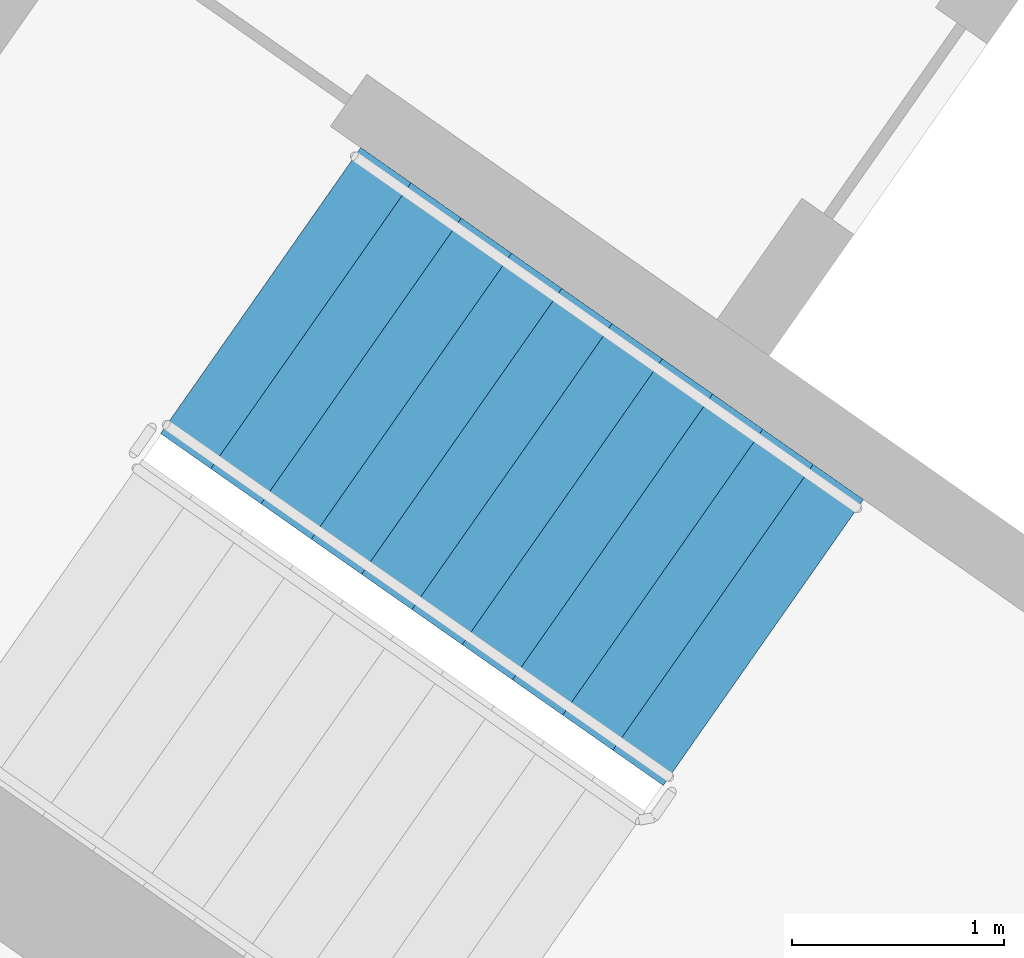
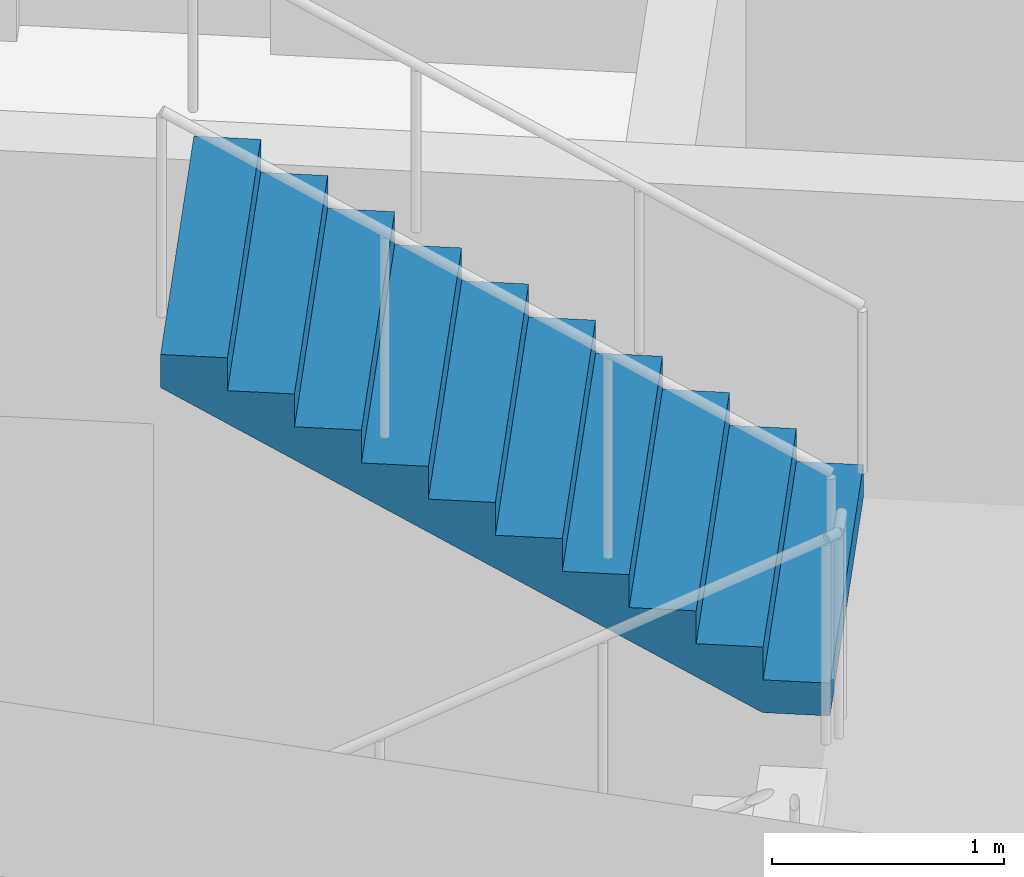
# One storey, part 11 of 28: 1 stair flight, 1 element without a shape of its own.
"""IFC4 building model written with IfcOpenShell, lengths in metres."""

from ifc_helpers import new_model, si_unit, direction, frame, origin, place, context, subcontext, project, spatial, faceted_brep, material, type_object, element, aggregate, save


model = new_model("IFC4")

# Units and contexts
model_context = context("Model", 3, precision=1e-05, world=origin(), true_north=direction((0.0, 1.0)))
body_context = subcontext(model_context, "Body", "Model", "MODEL_VIEW")
ifc_project = project(units=[si_unit("LENGTHUNIT", "METRE"), si_unit("AREAUNIT", "SQUARE_METRE"), si_unit("VOLUMEUNIT", "CUBIC_METRE"), si_unit("PLANEANGLEUNIT", "RADIAN"), si_unit("MASSUNIT", "GRAM", prefix="KILO")], contexts=[model_context])

# Site, building, storey
site_placement = place(None, origin())
site = spatial("IfcSite", under=ifc_project, at=site_placement, CompositionType="ELEMENT")
building_placement = place(site_placement, origin())
building = spatial("IfcBuilding", under=site, at=building_placement, Name="Qamariyya Broadcast Tower", CompositionType="ELEMENT")
storey_placement = place(building_placement, frame((0.0, 0.0, 269.5)))
storey = spatial("IfcBuildingStorey", under=building, at=storey_placement, Name="L65", CompositionType="ELEMENT", Elevation=269.5)

# Stair, stair flight
ifc_material = material(Name="Concrete C50/60", Category="concrete")
stair_type = type_object("IfcStairType", Name="Exit stair 22 risers of 173 mm", PredefinedType="HALF_TURN_STAIR", material=ifc_material)
stair_placement = place(storey_placement, origin())
stair = element("IfcStair", 1, at=stair_placement, inside=storey, type_object=stair_type, Name="L65 Stair W1", PredefinedType="HALF_TURN_STAIR")
stair_flight_type = type_object("IfcStairFlightType", Name="Exit stair flight 11 risers of 173 mm", PredefinedType="STRAIGHT", material=ifc_material)
stair_flight_placement = place(storey_placement, frame((-43.660888671875, -57.17138671875, 1.89990234375), z_axis=(0.0, 0.0, 1.0), x_axis=(-0.819152044289, 0.573576436351, 0.0)))
stair_flight = element("IfcStairFlight", 2, at=stair_flight_placement, type_object=stair_flight_type, Name="ST-W1 flight 2", NumberOfRisers=11, NumberOfTreads=10, PredefinedType="STRAIGHT", RiserHeight=0.172727273, TreadLength=0.29, context=body_context, shape_type="Brep", body=[
    faceted_brep([(0.0, 0.824951171875, 0.0), (0.0, 0.824951171875, 0.172607421875), (0.2900390625, 0.824951171875, 0.172607421875), (0.2900390625, 0.824951171875, 0.345458984375), (0.580078125, 0.824951171875, 0.345458984375), (0.580078125, 0.824951171875, 0.51806640625), (0.8701171875, 0.824951171875, 0.51806640625), (0.8701171875, 0.824951171875, 0.69091796875), (1.159912109375, 0.824951171875, 0.69091796875), (1.159912109375, 0.824951171875, 0.863525390625), (1.449951171875, 0.824951171875, 0.863525390625), (1.449951171875, 0.824951171875, 1.036376953125), (1.739990234375, 0.824951171875, 1.036376953125), (1.739990234375, 0.824951171875, 1.208984375), (2.030029296875, 0.824951171875, 1.208984375), (2.030029296875, 0.824951171875, 1.3818359375), (2.320068359375, 0.824951171875, 1.3818359375), (2.320068359375, 0.824951171875, 1.554443359375), (2.610107421875, 0.824951171875, 1.554443359375), (2.610107421875, 0.824951171875, 1.727294921875), (2.89990234375, 0.824951171875, 1.727294921875), (2.89990234375, 0.824951171875, 1.552734375), (0.29296875, 0.824951171875, 0.0), (0.29296875, -0.824951171875, 0.0), (2.89990234375, -0.824951171875, 1.552734375), (2.89990234375, -0.824951171875, 1.727294921875), (2.610107421875, -0.824951171875, 1.727294921875), (2.610107421875, -0.824951171875, 1.554443359375), (2.320068359375, -0.824951171875, 1.554443359375), (2.320068359375, -0.824951171875, 1.3818359375), (2.030029296875, -0.824951171875, 1.3818359375), (2.030029296875, -0.824951171875, 1.208984375), (1.739990234375, -0.824951171875, 1.208984375), (1.739990234375, -0.824951171875, 1.036376953125), (1.449951171875, -0.824951171875, 1.036376953125), (1.449951171875, -0.824951171875, 0.863525390625), (1.159912109375, -0.824951171875, 0.863525390625), (1.159912109375, -0.824951171875, 0.69091796875), (0.8701171875, -0.824951171875, 0.69091796875), (0.8701171875, -0.824951171875, 0.51806640625), (0.580078125, -0.824951171875, 0.51806640625), (0.580078125, -0.824951171875, 0.345458984375), (0.2900390625, -0.824951171875, 0.345458984375), (0.2900390625, -0.824951171875, 0.172607421875), (0.0, -0.824951171875, 0.172607421875), (0.0, -0.824951171875, 0.0), (0.0, 0.10009765625, 0.0), (0.0, 0.086669921875, 0.0), (0.0, 0.0732421875, 0.0), (0.0, 0.06005859375, 0.0), (0.0, 0.046630859375, 0.0), (0.0, 0.033447265625, 0.0), (0.0, 0.02001953125, 0.0), (0.0, 0.006591796875, 0.0), (0.0, -0.006591796875, 0.0), (0.0, -0.02001953125, 0.0), (0.0, -0.033447265625, 0.0), (0.0, -0.046630859375, 0.0), (0.0, -0.06005859375, 0.0), (0.0, -0.0732421875, 0.0), (0.0, -0.086669921875, 0.0), (0.0, -0.10009765625, 0.0), (0.0, -0.10009765625, 0.172607421875), (0.0, -0.086669921875, 0.172607421875), (0.0, -0.0732421875, 0.172607421875), (0.0, -0.06005859375, 0.172607421875), (0.0, -0.046630859375, 0.172607421875), (0.0, -0.033447265625, 0.172607421875), (0.0, -0.02001953125, 0.172607421875), (0.0, -0.006591796875, 0.172607421875), (0.0, 0.006591796875, 0.172607421875), (0.0, 0.02001953125, 0.172607421875), (0.0, 0.033447265625, 0.172607421875), (0.0, 0.046630859375, 0.172607421875), (0.0, 0.06005859375, 0.172607421875), (0.0, 0.0732421875, 0.172607421875), (0.0, 0.086669921875, 0.172607421875), (0.0, 0.10009765625, 0.172607421875), (0.2900390625, -0.10009765625, 0.172607421875), (0.2900390625, -0.086669921875, 0.172607421875), (0.2900390625, -0.0732421875, 0.172607421875), (0.2900390625, -0.06005859375, 0.172607421875), (0.2900390625, -0.046630859375, 0.172607421875), (0.2900390625, -0.033447265625, 0.172607421875), (0.2900390625, -0.02001953125, 0.172607421875), (0.2900390625, -0.006591796875, 0.172607421875), (0.2900390625, 0.006591796875, 0.172607421875), (0.2900390625, 0.02001953125, 0.172607421875), (0.2900390625, 0.033447265625, 0.172607421875), (0.2900390625, 0.046630859375, 0.172607421875), (0.2900390625, 0.06005859375, 0.172607421875), (0.2900390625, 0.0732421875, 0.172607421875), (0.2900390625, 0.086669921875, 0.172607421875), (0.2900390625, 0.10009765625, 0.172607421875), (0.2900390625, -0.10009765625, 0.345458984375), (0.2900390625, -0.086669921875, 0.345458984375), (0.2900390625, -0.0732421875, 0.345458984375), (0.2900390625, -0.06005859375, 0.345458984375), (0.2900390625, -0.046630859375, 0.345458984375), (0.2900390625, -0.033447265625, 0.345458984375), (0.2900390625, -0.02001953125, 0.345458984375), (0.2900390625, -0.006591796875, 0.345458984375), (0.2900390625, 0.006591796875, 0.345458984375), (0.2900390625, 0.02001953125, 0.345458984375), (0.2900390625, 0.033447265625, 0.345458984375), (0.2900390625, 0.046630859375, 0.345458984375), (0.2900390625, 0.06005859375, 0.345458984375), (0.2900390625, 0.0732421875, 0.345458984375), (0.2900390625, 0.086669921875, 0.345458984375), (0.2900390625, 0.10009765625, 0.345458984375), (0.580078125, -0.10009765625, 0.345458984375), (0.580078125, -0.086669921875, 0.345458984375), (0.580078125, -0.0732421875, 0.345458984375), (0.580078125, -0.06005859375, 0.345458984375), (0.580078125, -0.046630859375, 0.345458984375), (0.580078125, -0.033447265625, 0.345458984375), (0.580078125, -0.02001953125, 0.345458984375), (0.580078125, -0.006591796875, 0.345458984375), (0.580078125, 0.006591796875, 0.345458984375), (0.580078125, 0.02001953125, 0.345458984375), (0.580078125, 0.033447265625, 0.345458984375), (0.580078125, 0.046630859375, 0.345458984375), (0.580078125, 0.06005859375, 0.345458984375), (0.580078125, 0.0732421875, 0.345458984375), (0.580078125, 0.086669921875, 0.345458984375), (0.580078125, 0.10009765625, 0.345458984375), (0.580078125, -0.10009765625, 0.51806640625), (0.580078125, -0.086669921875, 0.51806640625), (0.580078125, -0.0732421875, 0.51806640625), (0.580078125, -0.06005859375, 0.51806640625), (0.580078125, -0.046630859375, 0.51806640625), (0.580078125, -0.033447265625, 0.51806640625), (0.580078125, -0.02001953125, 0.51806640625), (0.580078125, -0.006591796875, 0.51806640625), (0.580078125, 0.006591796875, 0.51806640625), (0.580078125, 0.02001953125, 0.51806640625), (0.580078125, 0.033447265625, 0.51806640625), (0.580078125, 0.046630859375, 0.51806640625), (0.580078125, 0.06005859375, 0.51806640625), (0.580078125, 0.0732421875, 0.51806640625), (0.580078125, 0.086669921875, 0.51806640625), (0.580078125, 0.10009765625, 0.51806640625), (0.8701171875, -0.10009765625, 0.51806640625), (0.8701171875, -0.086669921875, 0.51806640625), (0.8701171875, -0.0732421875, 0.51806640625), (0.8701171875, -0.06005859375, 0.51806640625), (0.8701171875, -0.046630859375, 0.51806640625), (0.8701171875, -0.033447265625, 0.51806640625), (0.8701171875, -0.02001953125, 0.51806640625), (0.8701171875, -0.006591796875, 0.51806640625), (0.8701171875, 0.006591796875, 0.51806640625), (0.8701171875, 0.02001953125, 0.51806640625), (0.8701171875, 0.033447265625, 0.51806640625), (0.8701171875, 0.046630859375, 0.51806640625), (0.8701171875, 0.06005859375, 0.51806640625), (0.8701171875, 0.0732421875, 0.51806640625), (0.8701171875, 0.086669921875, 0.51806640625), (0.8701171875, 0.10009765625, 0.51806640625), (0.8701171875, -0.10009765625, 0.69091796875), (0.8701171875, -0.086669921875, 0.69091796875), (0.8701171875, -0.0732421875, 0.69091796875), (0.8701171875, -0.06005859375, 0.69091796875), (0.8701171875, -0.046630859375, 0.69091796875), (0.8701171875, -0.033447265625, 0.69091796875), (0.8701171875, -0.02001953125, 0.69091796875), (0.8701171875, -0.006591796875, 0.69091796875), (0.8701171875, 0.006591796875, 0.69091796875), (0.8701171875, 0.02001953125, 0.69091796875), (0.8701171875, 0.033447265625, 0.69091796875), (0.8701171875, 0.046630859375, 0.69091796875), (0.8701171875, 0.06005859375, 0.69091796875), (0.8701171875, 0.0732421875, 0.69091796875), (0.8701171875, 0.086669921875, 0.69091796875), (0.8701171875, 0.10009765625, 0.69091796875), (1.159912109375, -0.10009765625, 0.69091796875), (1.159912109375, -0.086669921875, 0.69091796875), (1.159912109375, -0.0732421875, 0.69091796875), (1.159912109375, -0.06005859375, 0.69091796875), (1.159912109375, -0.046630859375, 0.69091796875), (1.159912109375, -0.033447265625, 0.69091796875), (1.159912109375, -0.02001953125, 0.69091796875), (1.159912109375, -0.006591796875, 0.69091796875), (1.159912109375, 0.006591796875, 0.69091796875), (1.159912109375, 0.02001953125, 0.69091796875), (1.159912109375, 0.033447265625, 0.69091796875), (1.159912109375, 0.046630859375, 0.69091796875), (1.159912109375, 0.06005859375, 0.69091796875), (1.159912109375, 0.0732421875, 0.69091796875), (1.159912109375, 0.086669921875, 0.69091796875), (1.159912109375, 0.10009765625, 0.69091796875), (1.159912109375, -0.10009765625, 0.863525390625), (1.159912109375, -0.086669921875, 0.863525390625), (1.159912109375, -0.0732421875, 0.863525390625), (1.159912109375, -0.06005859375, 0.863525390625), (1.159912109375, -0.046630859375, 0.863525390625), (1.159912109375, -0.033447265625, 0.863525390625), (1.159912109375, -0.02001953125, 0.863525390625), (1.159912109375, -0.006591796875, 0.863525390625), (1.159912109375, 0.006591796875, 0.863525390625), (1.159912109375, 0.02001953125, 0.863525390625), (1.159912109375, 0.033447265625, 0.863525390625), (1.159912109375, 0.046630859375, 0.863525390625), (1.159912109375, 0.06005859375, 0.863525390625), (1.159912109375, 0.0732421875, 0.863525390625), (1.159912109375, 0.086669921875, 0.863525390625), (1.159912109375, 0.10009765625, 0.863525390625), (1.449951171875, -0.10009765625, 0.863525390625), (1.449951171875, -0.086669921875, 0.863525390625), (1.449951171875, -0.0732421875, 0.863525390625), (1.449951171875, -0.06005859375, 0.863525390625), (1.449951171875, -0.046630859375, 0.863525390625), (1.449951171875, -0.033447265625, 0.863525390625), (1.449951171875, -0.02001953125, 0.863525390625), (1.449951171875, -0.006591796875, 0.863525390625), (1.449951171875, 0.006591796875, 0.863525390625), (1.449951171875, 0.02001953125, 0.863525390625), (1.449951171875, 0.033447265625, 0.863525390625), (1.449951171875, 0.046630859375, 0.863525390625), (1.449951171875, 0.06005859375, 0.863525390625), (1.449951171875, 0.0732421875, 0.863525390625), (1.449951171875, 0.086669921875, 0.863525390625), (1.449951171875, 0.10009765625, 0.863525390625), (1.449951171875, -0.10009765625, 1.036376953125), (1.449951171875, -0.086669921875, 1.036376953125), (1.449951171875, -0.0732421875, 1.036376953125), (1.449951171875, -0.06005859375, 1.036376953125), (1.449951171875, -0.046630859375, 1.036376953125), (1.449951171875, -0.033447265625, 1.036376953125), (1.449951171875, -0.02001953125, 1.036376953125), (1.449951171875, -0.006591796875, 1.036376953125), (1.449951171875, 0.006591796875, 1.036376953125), (1.449951171875, 0.02001953125, 1.036376953125), (1.449951171875, 0.033447265625, 1.036376953125), (1.449951171875, 0.046630859375, 1.036376953125), (1.449951171875, 0.06005859375, 1.036376953125), (1.449951171875, 0.0732421875, 1.036376953125), (1.449951171875, 0.086669921875, 1.036376953125), (1.449951171875, 0.10009765625, 1.036376953125), (1.739990234375, -0.10009765625, 1.036376953125), (1.739990234375, -0.086669921875, 1.036376953125), (1.739990234375, -0.0732421875, 1.036376953125), (1.739990234375, -0.06005859375, 1.036376953125), (1.739990234375, -0.046630859375, 1.036376953125), (1.739990234375, -0.033447265625, 1.036376953125), (1.739990234375, -0.02001953125, 1.036376953125), (1.739990234375, -0.006591796875, 1.036376953125), (1.739990234375, 0.006591796875, 1.036376953125), (1.739990234375, 0.02001953125, 1.036376953125), (1.739990234375, 0.033447265625, 1.036376953125), (1.739990234375, 0.046630859375, 1.036376953125), (1.739990234375, 0.06005859375, 1.036376953125), (1.739990234375, 0.0732421875, 1.036376953125), (1.739990234375, 0.086669921875, 1.036376953125), (1.739990234375, 0.10009765625, 1.036376953125), (1.739990234375, -0.10009765625, 1.208984375), (1.739990234375, -0.086669921875, 1.208984375), (1.739990234375, -0.0732421875, 1.208984375), (1.739990234375, -0.06005859375, 1.208984375), (1.739990234375, -0.046630859375, 1.208984375), (1.739990234375, -0.033447265625, 1.208984375), (1.739990234375, -0.02001953125, 1.208984375), (1.739990234375, -0.006591796875, 1.208984375), (1.739990234375, 0.006591796875, 1.208984375), (1.739990234375, 0.02001953125, 1.208984375), (1.739990234375, 0.033447265625, 1.208984375), (1.739990234375, 0.046630859375, 1.208984375), (1.739990234375, 0.06005859375, 1.208984375), (1.739990234375, 0.0732421875, 1.208984375), (1.739990234375, 0.086669921875, 1.208984375), (1.739990234375, 0.10009765625, 1.208984375), (2.030029296875, -0.10009765625, 1.208984375), (2.030029296875, -0.086669921875, 1.208984375), (2.030029296875, -0.0732421875, 1.208984375), (2.030029296875, -0.06005859375, 1.208984375), (2.030029296875, -0.046630859375, 1.208984375), (2.030029296875, -0.033447265625, 1.208984375), (2.030029296875, -0.02001953125, 1.208984375), (2.030029296875, -0.006591796875, 1.208984375), (2.030029296875, 0.006591796875, 1.208984375), (2.030029296875, 0.02001953125, 1.208984375), (2.030029296875, 0.033447265625, 1.208984375), (2.030029296875, 0.046630859375, 1.208984375), (2.030029296875, 0.06005859375, 1.208984375), (2.030029296875, 0.0732421875, 1.208984375), (2.030029296875, 0.086669921875, 1.208984375), (2.030029296875, 0.10009765625, 1.208984375), (2.030029296875, -0.10009765625, 1.3818359375), (2.030029296875, -0.086669921875, 1.3818359375), (2.030029296875, -0.0732421875, 1.3818359375), (2.030029296875, -0.06005859375, 1.3818359375), (2.030029296875, -0.046630859375, 1.3818359375), (2.030029296875, -0.033447265625, 1.3818359375), (2.030029296875, -0.02001953125, 1.3818359375), (2.030029296875, -0.006591796875, 1.3818359375), (2.030029296875, 0.006591796875, 1.3818359375), (2.030029296875, 0.02001953125, 1.3818359375), (2.030029296875, 0.033447265625, 1.3818359375), (2.030029296875, 0.046630859375, 1.3818359375), (2.030029296875, 0.06005859375, 1.3818359375), (2.030029296875, 0.0732421875, 1.3818359375), (2.030029296875, 0.086669921875, 1.3818359375), (2.030029296875, 0.10009765625, 1.3818359375), (2.320068359375, -0.10009765625, 1.3818359375), (2.320068359375, -0.086669921875, 1.3818359375), (2.320068359375, -0.0732421875, 1.3818359375), (2.320068359375, -0.06005859375, 1.3818359375), (2.320068359375, -0.046630859375, 1.3818359375), (2.320068359375, -0.033447265625, 1.3818359375), (2.320068359375, -0.02001953125, 1.3818359375), (2.320068359375, -0.006591796875, 1.3818359375), (2.320068359375, 0.006591796875, 1.3818359375), (2.320068359375, 0.02001953125, 1.3818359375), (2.320068359375, 0.033447265625, 1.3818359375), (2.320068359375, 0.046630859375, 1.3818359375), (2.320068359375, 0.06005859375, 1.3818359375), (2.320068359375, 0.0732421875, 1.3818359375), (2.320068359375, 0.086669921875, 1.3818359375), (2.320068359375, 0.10009765625, 1.3818359375), (2.320068359375, -0.10009765625, 1.554443359375), (2.320068359375, -0.086669921875, 1.554443359375), (2.320068359375, -0.0732421875, 1.554443359375), (2.320068359375, -0.06005859375, 1.554443359375), (2.320068359375, -0.046630859375, 1.554443359375), (2.320068359375, -0.033447265625, 1.554443359375), (2.320068359375, -0.02001953125, 1.554443359375), (2.320068359375, -0.006591796875, 1.554443359375), (2.320068359375, 0.006591796875, 1.554443359375), (2.320068359375, 0.02001953125, 1.554443359375), (2.320068359375, 0.033447265625, 1.554443359375), (2.320068359375, 0.046630859375, 1.554443359375), (2.320068359375, 0.06005859375, 1.554443359375), (2.320068359375, 0.0732421875, 1.554443359375), (2.320068359375, 0.086669921875, 1.554443359375), (2.320068359375, 0.10009765625, 1.554443359375), (2.610107421875, -0.10009765625, 1.554443359375), (2.610107421875, -0.086669921875, 1.554443359375), (2.610107421875, -0.0732421875, 1.554443359375), (2.610107421875, -0.06005859375, 1.554443359375), (2.610107421875, -0.046630859375, 1.554443359375), (2.610107421875, -0.033447265625, 1.554443359375), (2.610107421875, -0.02001953125, 1.554443359375), (2.610107421875, -0.006591796875, 1.554443359375), (2.610107421875, 0.006591796875, 1.554443359375), (2.610107421875, 0.02001953125, 1.554443359375), (2.610107421875, 0.033447265625, 1.554443359375), (2.610107421875, 0.046630859375, 1.554443359375), (2.610107421875, 0.06005859375, 1.554443359375), (2.610107421875, 0.0732421875, 1.554443359375), (2.610107421875, 0.086669921875, 1.554443359375), (2.610107421875, 0.10009765625, 1.554443359375), (2.610107421875, -0.10009765625, 1.727294921875), (2.610107421875, -0.086669921875, 1.727294921875), (2.610107421875, -0.0732421875, 1.727294921875), (2.610107421875, -0.06005859375, 1.727294921875), (2.610107421875, -0.046630859375, 1.727294921875), (2.610107421875, -0.033447265625, 1.727294921875), (2.610107421875, -0.02001953125, 1.727294921875), (2.610107421875, -0.006591796875, 1.727294921875), (2.610107421875, 0.006591796875, 1.727294921875), (2.610107421875, 0.02001953125, 1.727294921875), (2.610107421875, 0.033447265625, 1.727294921875), (2.610107421875, 0.046630859375, 1.727294921875), (2.610107421875, 0.06005859375, 1.727294921875), (2.610107421875, 0.0732421875, 1.727294921875), (2.610107421875, 0.086669921875, 1.727294921875), (2.610107421875, 0.10009765625, 1.727294921875), (2.89990234375, -0.10009765625, 1.727294921875), (2.89990234375, -0.086669921875, 1.727294921875), (2.89990234375, -0.0732421875, 1.727294921875), (2.89990234375, -0.06005859375, 1.727294921875), (2.89990234375, -0.046630859375, 1.727294921875), (2.89990234375, -0.033447265625, 1.727294921875), (2.89990234375, -0.02001953125, 1.727294921875), (2.89990234375, -0.006591796875, 1.727294921875), (2.89990234375, 0.006591796875, 1.727294921875), (2.89990234375, 0.02001953125, 1.727294921875), (2.89990234375, 0.033447265625, 1.727294921875), (2.89990234375, 0.046630859375, 1.727294921875), (2.89990234375, 0.06005859375, 1.727294921875), (2.89990234375, 0.0732421875, 1.727294921875), (2.89990234375, 0.086669921875, 1.727294921875), (2.89990234375, 0.10009765625, 1.727294921875), (2.89990234375, -0.10009765625, 1.552734375), (2.89990234375, -0.086669921875, 1.552734375), (2.89990234375, -0.0732421875, 1.552734375), (2.89990234375, -0.06005859375, 1.552734375), (2.89990234375, -0.046630859375, 1.552734375), (2.89990234375, -0.033447265625, 1.552734375), (2.89990234375, -0.02001953125, 1.552734375), (2.89990234375, -0.006591796875, 1.552734375), (2.89990234375, 0.006591796875, 1.552734375), (2.89990234375, 0.02001953125, 1.552734375), (2.89990234375, 0.033447265625, 1.552734375), (2.89990234375, 0.046630859375, 1.552734375), (2.89990234375, 0.06005859375, 1.552734375), (2.89990234375, 0.0732421875, 1.552734375), (2.89990234375, 0.086669921875, 1.552734375), (2.89990234375, 0.10009765625, 1.552734375), (0.29296875, -0.10009765625, 0.0), (0.29296875, -0.086669921875, 0.0), (0.29296875, -0.0732421875, 0.0), (0.29296875, -0.06005859375, 0.0), (0.29296875, -0.046630859375, 0.0), (0.29296875, -0.033447265625, 0.0), (0.29296875, -0.02001953125, 0.0), (0.29296875, -0.006591796875, 0.0), (0.29296875, 0.006591796875, 0.0), (0.29296875, 0.02001953125, 0.0), (0.29296875, 0.033447265625, 0.0), (0.29296875, 0.046630859375, 0.0), (0.29296875, 0.06005859375, 0.0), (0.29296875, 0.0732421875, 0.0), (0.29296875, 0.086669921875, 0.0), (0.29296875, 0.10009765625, 0.0)], [[[0, 1, 2, 3, 4, 5, 6, 7, 8, 9, 10, 11, 12, 13, 14, 15, 16, 17, 18, 19, 20, 21, 22]], [[23, 24, 25, 26, 27, 28, 29, 30, 31, 32, 33, 34, 35, 36, 37, 38, 39, 40, 41, 42, 43, 44, 45]], [[0, 46, 47, 48, 49, 50, 51, 52, 53, 54, 55, 56, 57, 58, 59, 60, 61, 45, 44, 62, 63, 64, 65, 66, 67, 68, 69, 70, 71, 72, 73, 74, 75, 76, 77, 1]], [[1, 77, 76, 75, 74, 73, 72, 71, 70, 69, 68, 67, 66, 65, 64, 63, 62, 44, 43, 78, 79, 80, 81, 82, 83, 84, 85, 86, 87, 88, 89, 90, 91, 92, 93, 2]], [[2, 93, 92, 91, 90, 89, 88, 87, 86, 85, 84, 83, 82, 81, 80, 79, 78, 43, 42, 94, 95, 96, 97, 98, 99, 100, 101, 102, 103, 104, 105, 106, 107, 108, 109, 3]], [[3, 109, 108, 107, 106, 105, 104, 103, 102, 101, 100, 99, 98, 97, 96, 95, 94, 42, 41, 110, 111, 112, 113, 114, 115, 116, 117, 118, 119, 120, 121, 122, 123, 124, 125, 4]], [[4, 125, 124, 123, 122, 121, 120, 119, 118, 117, 116, 115, 114, 113, 112, 111, 110, 41, 40, 126, 127, 128, 129, 130, 131, 132, 133, 134, 135, 136, 137, 138, 139, 140, 141, 5]], [[5, 141, 140, 139, 138, 137, 136, 135, 134, 133, 132, 131, 130, 129, 128, 127, 126, 40, 39, 142, 143, 144, 145, 146, 147, 148, 149, 150, 151, 152, 153, 154, 155, 156, 157, 6]], [[6, 157, 156, 155, 154, 153, 152, 151, 150, 149, 148, 147, 146, 145, 144, 143, 142, 39, 38, 158, 159, 160, 161, 162, 163, 164, 165, 166, 167, 168, 169, 170, 171, 172, 173, 7]], [[7, 173, 172, 171, 170, 169, 168, 167, 166, 165, 164, 163, 162, 161, 160, 159, 158, 38, 37, 174, 175, 176, 177, 178, 179, 180, 181, 182, 183, 184, 185, 186, 187, 188, 189, 8]], [[8, 189, 188, 187, 186, 185, 184, 183, 182, 181, 180, 179, 178, 177, 176, 175, 174, 37, 36, 190, 191, 192, 193, 194, 195, 196, 197, 198, 199, 200, 201, 202, 203, 204, 205, 9]], [[9, 205, 204, 203, 202, 201, 200, 199, 198, 197, 196, 195, 194, 193, 192, 191, 190, 36, 35, 206, 207, 208, 209, 210, 211, 212, 213, 214, 215, 216, 217, 218, 219, 220, 221, 10]], [[10, 221, 220, 219, 218, 217, 216, 215, 214, 213, 212, 211, 210, 209, 208, 207, 206, 35, 34, 222, 223, 224, 225, 226, 227, 228, 229, 230, 231, 232, 233, 234, 235, 236, 237, 11]], [[11, 237, 236, 235, 234, 233, 232, 231, 230, 229, 228, 227, 226, 225, 224, 223, 222, 34, 33, 238, 239, 240, 241, 242, 243, 244, 245, 246, 247, 248, 249, 250, 251, 252, 253, 12]], [[12, 253, 252, 251, 250, 249, 248, 247, 246, 245, 244, 243, 242, 241, 240, 239, 238, 33, 32, 254, 255, 256, 257, 258, 259, 260, 261, 262, 263, 264, 265, 266, 267, 268, 269, 13]], [[13, 269, 268, 267, 266, 265, 264, 263, 262, 261, 260, 259, 258, 257, 256, 255, 254, 32, 31, 270, 271, 272, 273, 274, 275, 276, 277, 278, 279, 280, 281, 282, 283, 284, 285, 14]], [[14, 285, 284, 283, 282, 281, 280, 279, 278, 277, 276, 275, 274, 273, 272, 271, 270, 31, 30, 286, 287, 288, 289, 290, 291, 292, 293, 294, 295, 296, 297, 298, 299, 300, 301, 15]], [[15, 301, 300, 299, 298, 297, 296, 295, 294, 293, 292, 291, 290, 289, 288, 287, 286, 30, 29, 302, 303, 304, 305, 306, 307, 308, 309, 310, 311, 312, 313, 314, 315, 316, 317, 16]], [[16, 317, 316, 315, 314, 313, 312, 311, 310, 309, 308, 307, 306, 305, 304, 303, 302, 29, 28, 318, 319, 320, 321, 322, 323, 324, 325, 326, 327, 328, 329, 330, 331, 332, 333, 17]], [[17, 333, 332, 331, 330, 329, 328, 327, 326, 325, 324, 323, 322, 321, 320, 319, 318, 28, 27, 334, 335, 336, 337, 338, 339, 340, 341, 342, 343, 344, 345, 346, 347, 348, 349, 18]], [[18, 349, 348, 347, 346, 345, 344, 343, 342, 341, 340, 339, 338, 337, 336, 335, 334, 27, 26, 350, 351, 352, 353, 354, 355, 356, 357, 358, 359, 360, 361, 362, 363, 364, 365, 19]], [[19, 365, 364, 363, 362, 361, 360, 359, 358, 357, 356, 355, 354, 353, 352, 351, 350, 26, 25, 366, 367, 368, 369, 370, 371, 372, 373, 374, 375, 376, 377, 378, 379, 380, 381, 20]], [[20, 381, 380, 379, 378, 377, 376, 375, 374, 373, 372, 371, 370, 369, 368, 367, 366, 25, 24, 382, 383, 384, 385, 386, 387, 388, 389, 390, 391, 392, 393, 394, 395, 396, 397, 21]], [[21, 397, 396, 395, 394, 393, 392, 391, 390, 389, 388, 387, 386, 385, 384, 383, 382, 24, 23, 398, 399, 400, 401, 402, 403, 404, 405, 406, 407, 408, 409, 410, 411, 412, 413, 22]], [[22, 413, 412, 411, 410, 409, 408, 407, 406, 405, 404, 403, 402, 401, 400, 399, 398, 23, 45, 61, 60, 59, 58, 57, 56, 55, 54, 53, 52, 51, 50, 49, 48, 47, 46, 0]]]),
])
aggregate(stair, [stair_flight])

save(model, "model.ifc")
